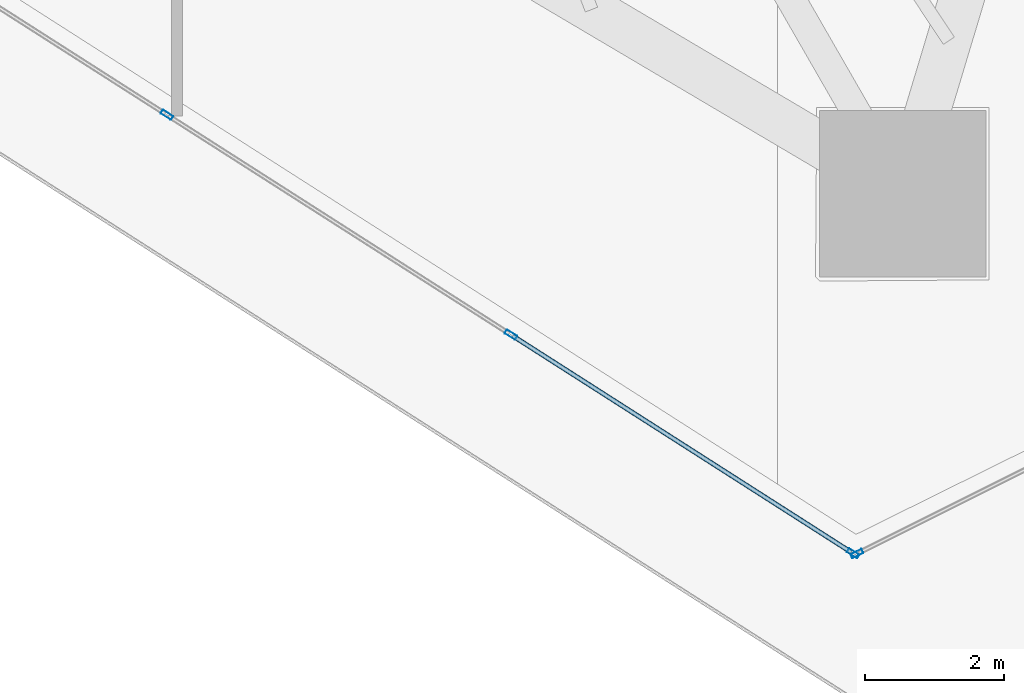
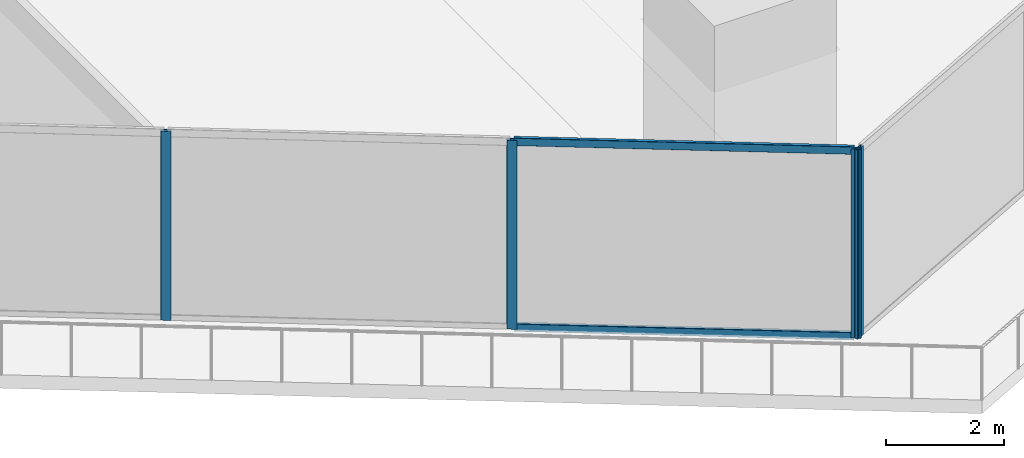
# One storey, part 7 of 45: 6 members, 2 elements without a shape of their own.
"""IFC4 building model written with IfcOpenShell, lengths in metres."""

from ifc_helpers import new_model, si_unit, direction, frame, origin, origin_2d, place, context, subcontext, project, spatial, hollow_rectangle, extrude, material, layer, layer_set, material_profile, profile_set, type_object, element, aggregate, save


model = new_model("IFC4")

# Units and contexts
model_context = context("Model", 3, precision=1e-05, world=origin(), true_north=direction((0.0, 1.0)))
body_context = subcontext(model_context, "Body", "Model", "MODEL_VIEW")
ifc_project = project(units=[si_unit("LENGTHUNIT", "METRE"), si_unit("AREAUNIT", "SQUARE_METRE"), si_unit("VOLUMEUNIT", "CUBIC_METRE"), si_unit("PLANEANGLEUNIT", "RADIAN"), si_unit("MASSUNIT", "GRAM", prefix="KILO")], contexts=[model_context])

# Site, building, storey
site_placement = place(None, origin())
site = spatial("IfcSite", under=ifc_project, at=site_placement, CompositionType="ELEMENT")
building_placement = place(site_placement, origin())
building = spatial("IfcBuilding", under=site, at=building_placement, Name="Qorvath Tower", CompositionType="ELEMENT")
storey_placement = place(building_placement, frame((0.0, 0.0, 66.0)))
storey = spatial("IfcBuildingStorey", under=building, at=storey_placement, Name="L14", CompositionType="ELEMENT", Elevation=66.0)

# Curtain wall, members
ifc_material_1 = material(Name="Anodised aluminium and triple low-E glass", Category="aluminium")
ifc_layer = layer(ifc_material_1, 0.179931640625)
ifc_layer_set = layer_set([ifc_layer], Name="CW-SYS-2")
curtain_wall_type = type_object("IfcCurtainWallType", Name="CW-SYS-2", PredefinedType="NOTDEFINED", material=ifc_layer_set)
curtain_wall_1_placement = place(storey_placement, origin())
curtain_wall_1 = element("IfcCurtainWall", 1, at=curtain_wall_1_placement, inside=storey, type_object=curtain_wall_type, Name="Curtain Wall CW-2 CW-T-L14-2.2", PredefinedType="NOTDEFINED")
ifc_material_2 = material(Name="Anodised aluminium 6063-T6", Category="aluminium")
ifc_material_profile_1 = material_profile(ifc_material_2, hollow_rectangle(XDim=0.06494140625, YDim=0.179931640625, WallThickness=0.00341796875, InnerFilletRadius=0.00341796875, OuterFilletRadius=0.007080078125, at=origin_2d()), Name="CWM 180x65")
ifc_profile_set_1 = profile_set([ifc_material_profile_1], Name="Anodised aluminium 6063-T6")
member_type_1 = type_object("IfcMemberType", Name="CWM-180", PredefinedType="MULLION", material=ifc_profile_set_1)
member_1_placement = place(storey_placement, frame((-25.077880859375, -26.193115234375, 0.0), z_axis=(0.0, 0.0, 1.0), x_axis=(0.538537072857, 0.842601816494, 0.0)))
member_1 = element("IfcMember", 2, at=member_1_placement, type_object=member_type_1, Name="CW-2 mullion 4", PredefinedType="MULLION", context=body_context, shape_type="SweptSolid", body=[
    extrude(hollow_rectangle(XDim=0.06494140625, YDim=0.179931640625, WallThickness=0.00341796875, InnerFilletRadius=0.00341796875, OuterFilletRadius=0.007080078125, at=origin_2d()), origin(), (0.0, 0.0, 1.0), 3.919921875),
])
member_2_placement = place(storey_placement, frame((-20.116455078125, -29.3642578125, 0.0), z_axis=(0.0, 0.0, 1.0), x_axis=(0.538537072857, 0.842601816494, 0.0)))
member_2 = element("IfcMember", 3, at=member_2_placement, type_object=member_type_1, Name="CW-2 mullion 5", PredefinedType="MULLION", context=body_context, shape_type="SweptSolid", body=[
    extrude(hollow_rectangle(XDim=0.06494140625, YDim=0.179931640625, WallThickness=0.00341796875, InnerFilletRadius=0.00341796875, OuterFilletRadius=0.007080078125, at=origin_2d()), origin(), (0.0, 0.0, 1.0), 3.919921875),
])
member_3_placement = place(storey_placement, frame((-15.182373046875, -32.517578125, 0.0), z_axis=(0.0, 0.0, 1.0), x_axis=(0.538537072857, 0.842601816494, 0.0)))
member_3 = element("IfcMember", 4, at=member_3_placement, type_object=member_type_1, Name="CW-2 mullion 6", PredefinedType="MULLION", context=body_context, shape_type="SweptSolid", body=[
    extrude(hollow_rectangle(XDim=0.06494140625, YDim=0.179931640625, WallThickness=0.00341796875, InnerFilletRadius=0.00341796875, OuterFilletRadius=0.007080078125, at=origin_2d()), origin(), (0.0, 0.0, 1.0), 3.919921875),
])

# Curtain wall, member
curtain_wall_2_placement = place(storey_placement, origin())
curtain_wall_2 = element("IfcCurtainWall", 5, at=curtain_wall_2_placement, inside=storey, type_object=curtain_wall_type, Name="Curtain Wall CW-2 CW-T-L14-3.1", PredefinedType="NOTDEFINED")
member_4_placement = place(storey_placement, frame((-15.1259765625, -32.520751953125, 0.0), z_axis=(0.0, 0.0, 1.0), x_axis=(-0.447221292931, 0.894423342243, 0.0)))
member_4 = element("IfcMember", 6, at=member_4_placement, type_object=member_type_1, Name="CW-2 mullion 1", PredefinedType="MULLION", context=body_context, shape_type="SweptSolid", body=[
    extrude(hollow_rectangle(XDim=0.06494140625, YDim=0.179931640625, WallThickness=0.00341796875, InnerFilletRadius=0.00341796875, OuterFilletRadius=0.007080078125, at=origin_2d()), origin(), (0.0, 0.0, 1.0), 3.919921875),
])
aggregate(curtain_wall_2, [member_4])

# Member
ifc_material_3 = material(Name="Anodised aluminium 6063-T6", Category="aluminium")
ifc_material_profile_2 = material_profile(ifc_material_3, hollow_rectangle(XDim=0.06494140625, YDim=0.159912109375, WallThickness=0.00341796875, InnerFilletRadius=0.00341796875, OuterFilletRadius=0.007080078125, at=origin_2d()), Name="CWT 160x65")
ifc_profile_set_2 = profile_set([ifc_material_profile_2], Name="Anodised aluminium 6063-T6")
member_type_2 = type_object("IfcMemberType", Name="CWT-160", PredefinedType="USERDEFINED", material=ifc_profile_set_2)
member_5_placement = place(storey_placement, frame((-20.089111328125, -29.381591796875, 0.032470703125), z_axis=(0.842597419402, -0.538543952539, 0.0), x_axis=(0.538543952539, 0.842597419402, 0.0)))
member_5 = element("IfcMember", 7, at=member_5_placement, type_object=member_type_2, Name="CW-2 transom 5.1", ObjectType="TRANSOM", PredefinedType="USERDEFINED", context=body_context, shape_type="SweptSolid", body=[
    extrude(hollow_rectangle(XDim=0.06494140625, YDim=0.159912109375, WallThickness=0.00341796875, InnerFilletRadius=0.00341796875, OuterFilletRadius=0.007080078125, at=origin_2d()), origin(), (0.0, 0.0, 1.0), 5.791015625),
])

member_6_placement = place(storey_placement, frame((-20.089111328125, -29.381591796875, 3.887451171875), z_axis=(0.842597419402, -0.538543952539, 0.0), x_axis=(0.538543952539, 0.842597419402, 0.0)))
member_6 = element("IfcMember", 8, at=member_6_placement, type_object=member_type_2, Name="CW-2 transom 5.2", ObjectType="TRANSOM", PredefinedType="USERDEFINED", context=body_context, shape_type="SweptSolid", body=[
    extrude(hollow_rectangle(XDim=0.06494140625, YDim=0.159912109375, WallThickness=0.00341796875, InnerFilletRadius=0.00341796875, OuterFilletRadius=0.007080078125, at=origin_2d()), origin(), (0.0, 0.0, 1.0), 5.791015625),
])

aggregate(curtain_wall_1, [member_1, member_2, member_3, member_5, member_6])

save(model, "model.ifc")
